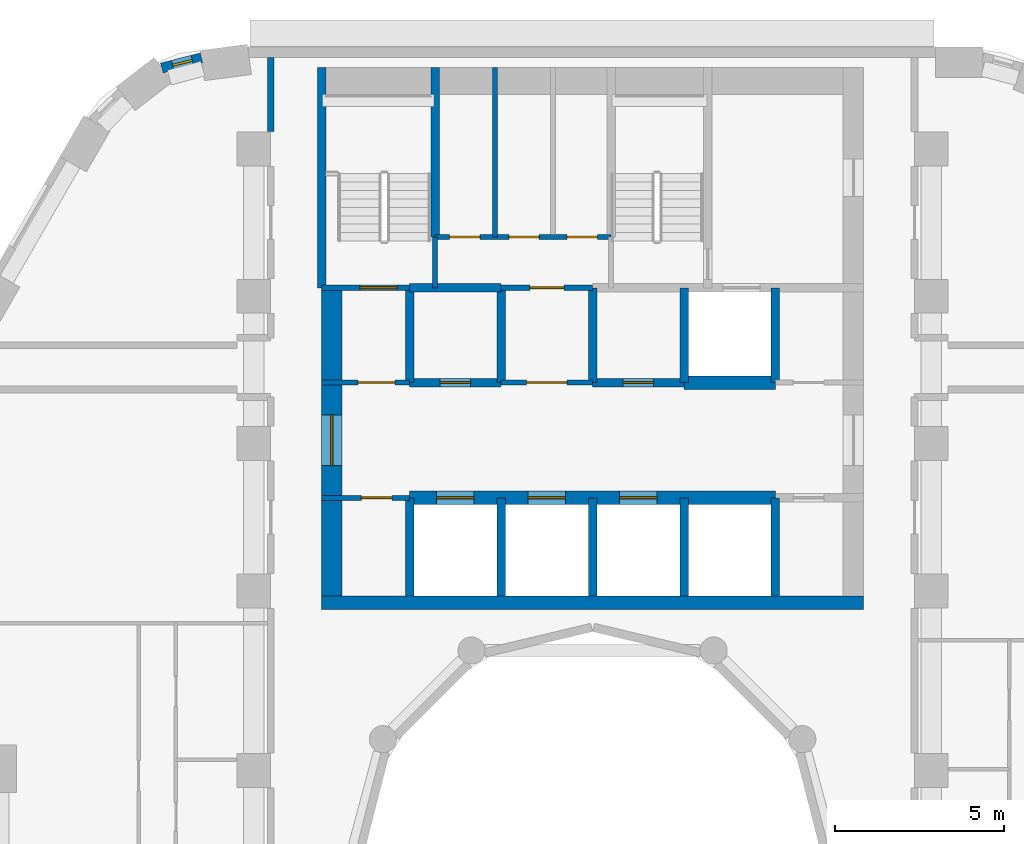
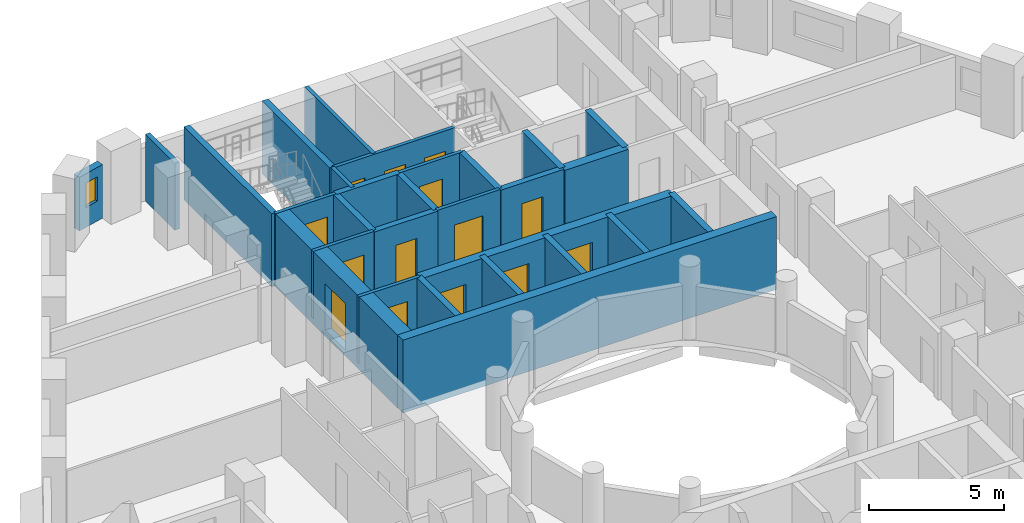
# One storey, part 7 of 12: 29 walls, 14 doors, 1 window, 15 openings.
"""IFC4 building model written with IfcOpenShell, lengths in metres."""

from ifc_helpers import new_model, si_unit, direction, frame, frame_2d, origin, place, context, subcontext, project, spatial, rectangle, extrude, material, layer, layer_set, type_object, element, fill, save


model = new_model("IFC4")

# Units and contexts
model_context = context("Model", 3, precision=1e-05, world=origin(), true_north=direction((0.0, 1.0)))
body_context = subcontext(model_context, "Body", "Model", "MODEL_VIEW")
ifc_project = project(units=[si_unit("LENGTHUNIT", "METRE"), si_unit("AREAUNIT", "SQUARE_METRE"), si_unit("VOLUMEUNIT", "CUBIC_METRE"), si_unit("PLANEANGLEUNIT", "RADIAN"), si_unit("MASSUNIT", "GRAM", prefix="KILO")], contexts=[model_context])

# Site, building, storey
site_placement = place(None, origin())
site = spatial("IfcSite", under=ifc_project, at=site_placement, CompositionType="ELEMENT")
building_placement = place(site_placement, origin())
building = spatial("IfcBuilding", under=site, at=building_placement, Name="Nakaniwa Court", CompositionType="ELEMENT")
storey_placement = place(building_placement, frame((0.0, 0.0, 100.800048828125)))
storey = spatial("IfcBuildingStorey", under=building, at=storey_placement, Name="L26", CompositionType="ELEMENT", Elevation=100.800048828125)

# Wall
ifc_material_1 = material(Name="Acoustic double stud partition")
ifc_layer_1 = layer(ifc_material_1, 0.199951171875)
ifc_layer_set_1 = layer_set([ifc_layer_1], Name="Acoustic double stud partition")
wall_type_1 = type_object("IfcWallType", Name="Acoustic double stud partition 200", PredefinedType="PARTITIONING", material=ifc_layer_set_1)
wall_1_placement = place(storey_placement, frame((70.5, 101.51708984375, 0.0), z_axis=(0.0, 0.0, 1.0), x_axis=(0.0, 1.0, 0.0)))
element("IfcWall", 1, at=wall_1_placement, inside=storey, type_object=wall_type_1, Name="Partition PW-108", PredefinedType="PARTITIONING", context=body_context, shape_type="SweptSolid", body=[
    extrude(rectangle(XDim=2.182861328125, YDim=0.199951171875, at=frame_2d((1.09130859375, 0.0))), origin(), (0.0, 0.0, 1.0), 3.02490234375),
])

# Wall, opening, window
ifc_material_2 = material(Name="Charcoal ceramic cladding")
ifc_layer_2 = layer(ifc_material_2, 0.02, Name="Ceramic cladding")
ifc_material_3 = material(Name="Ventilated air cavity")
ifc_layer_3 = layer(ifc_material_3, 0.04, ventilated=True, Name="Ventilated cavity")
ifc_material_4 = material(Name="Mineral wool insulation")
ifc_layer_4 = layer(ifc_material_4, 0.1, Name="Insulation")
ifc_material_5 = material(Name="Cement bonded sheathing board")
ifc_layer_5 = layer(ifc_material_5, 0.012, Name="Sheathing")
ifc_material_6 = material(Name="Cold-formed galvanised stud frame with mineral wool infill")
ifc_layer_6 = layer(ifc_material_6, 0.1, Name="Stud frame")
ifc_material_7 = material(Name="Fire-rated gypsum plasterboard lining")
ifc_layer_7 = layer(ifc_material_7, 0.028, Name="Lining")
ifc_layer_set_2 = layer_set([ifc_layer_2, ifc_layer_3, ifc_layer_4, ifc_layer_5, ifc_layer_6, ifc_layer_7], Name="Charcoal ceramic faced external wall system")
wall_type_2 = type_object("IfcWallType", Name="Black ceramic faced external wall 300", PredefinedType="SOLIDWALL", material=ifc_layer_set_2)
wall_2_placement = place(storey_placement, frame((68.455810546875, 103.68310546875, 0.0), z_axis=(0.0, 0.0, 1.0), x_axis=(-0.969485113966, -0.245150186208, 0.0)))
wall_2 = element("IfcWall", 2, at=wall_2_placement, inside=storey, type_object=wall_type_2, Name="L26 external wall 09", PredefinedType="SOLIDWALL", context=body_context, shape_type="SweptSolid", body=[
    extrude(rectangle(XDim=1.2080078125, YDim=0.300048828125, at=frame_2d((0.60400390625, 0.0))), origin(), (0.0, 0.0, 1.0), 2.425048828125),
])
opening_1_placement = place(wall_2_placement, frame((0.279541015625, 0.0, 0.89990234375)))
opening_1 = element("IfcOpeningElement", 3, at=opening_1_placement, cuts=wall_2, Name="Opening W8.10", PredefinedType="OPENING", context=body_context, shape_type="SweptSolid", body=[
    extrude(rectangle(XDim=0.60009765625, YDim=1.10009765625, at=frame_2d((0.300048828125, 0.550048828125))), frame((0.0, 0.159912109375, 0.0), z_axis=(0.0, -1.0, 0.0), x_axis=(1.0, 0.0, 0.0)), (0.0, 0.0, 1.0), 0.320068359375),
])
ifc_material_8 = material(Name="Black anodised aluminium frame with dark low-E laminated double glazing", Category="aluminium")
window_type = type_object("IfcWindowType", Name="Dark glass window 600x1100 sill 900", PartitioningType="SINGLE_PANEL", PredefinedType="WINDOW", material=ifc_material_8)
window_placement = place(opening_1_placement, origin())
window = element("IfcWindow", 4, at=window_placement, inside=storey, type_object=window_type, Name="L26 habitable room window 09-0", OverallHeight=1.10009765625, OverallWidth=0.60009765625, PartitioningType="SINGLE_PANEL", PredefinedType="WINDOW", context=body_context, shape_type="SweptSolid", body=[
    extrude(rectangle(XDim=0.60009765625, YDim=1.10009765625, at=frame_2d((0.300048828125, 0.550048828125))), frame((0.0, 0.030029296875, 0.0), z_axis=(0.0, -1.0, 0.0), x_axis=(1.0, 0.0, 0.0)), (0.0, 0.0, 1.0), 0.06005859375),
])
fill(opening_1, window)

# Wall, opening, door
ifc_material_9 = material(Name="Blockwork partition", Category="masonry")
ifc_layer_8 = layer(ifc_material_9, 0.14990234375)
ifc_layer_set_3 = layer_set([ifc_layer_8], Name="Blockwork partition")
wall_type_3 = type_object("IfcWallType", Name="Blockwork partition 150", PredefinedType="PARTITIONING", material=ifc_layer_set_3)
wall_3_placement = place(storey_placement, frame((74.60009765625, 90.699951171875, 0.0), z_axis=(0.0, 0.0, 1.0), x_axis=(-1.0, 0.0, 0.0)))
wall_3 = element("IfcWall", 5, at=wall_3_placement, inside=storey, type_object=wall_type_3, Name="Partition PW-003", PredefinedType="PARTITIONING", context=body_context, shape_type="SweptSolid", body=[
    extrude(rectangle(XDim=2.60009765625, YDim=0.14990234375, at=frame_2d((1.300048828125, 0.0))), origin(), (0.0, 0.0, 1.0), 3.02490234375),
])
opening_2_placement = place(wall_3_placement, frame((0.52490234375, 0.0, 0.0)))
opening_2 = element("IfcOpeningElement", 6, at=opening_2_placement, cuts=wall_3, Name="Opening D-05-01", PredefinedType="OPENING", context=body_context, shape_type="SweptSolid", body=[
    extrude(rectangle(XDim=0.89990234375, YDim=2.10009765625, at=frame_2d((0.449951171875, 1.050048828125))), frame((0.0, 0.0849609375, 0.0), z_axis=(0.0, -1.0, 0.0), x_axis=(1.0, 0.0, 0.0)), (0.0, 0.0, 1.0), 0.169921875),
])
ifc_material_10 = material(Name="Fire rated steel door set", Category="steel")
door_type_1 = type_object("IfcDoorType", Name="Service room door 900", OperationType="NOTDEFINED", PredefinedType="DOOR", material=ifc_material_10)
door_1_placement = place(opening_2_placement, origin())
door_1 = element("IfcDoor", 7, at=door_1_placement, inside=storey, type_object=door_type_1, Name="Door D-05-01 L26-001", OperationType="SINGLE_SWING_RIGHT", OverallHeight=2.10009765625, OverallWidth=0.89990234375, PredefinedType="DOOR", context=body_context, shape_type="SweptSolid", body=[
    extrude(rectangle(XDim=0.89990234375, YDim=2.10009765625, at=frame_2d((0.449951171875, 1.050048828125))), frame((0.0, 0.02490234375, 0.0), z_axis=(0.0, -1.0, 0.0), x_axis=(1.0, 0.0, 0.0)), (0.0, 0.0, 1.0), 0.050048828125),
])
fill(opening_2, door_1)

wall_4_placement = place(storey_placement, frame((72.0, 94.10009765625, 0.0), z_axis=(0.0, 0.0, 1.0), x_axis=(1.0, 0.0, 0.0)))
wall_4 = element("IfcWall", 8, at=wall_4_placement, inside=storey, type_object=wall_type_3, Name="Partition PW-016", PredefinedType="PARTITIONING", context=body_context, shape_type="SweptSolid", body=[
    extrude(rectangle(XDim=2.60302734375, YDim=0.14990234375, at=frame_2d((1.301513671875, 0.0))), origin(), (0.0, 0.0, 1.0), 3.02490234375),
])
opening_3_placement = place(wall_4_placement, frame((1.074951171875, 0.0, 0.0)))
opening_3 = element("IfcOpeningElement", 9, at=opening_3_placement, cuts=wall_4, Name="Opening D-08-01", PredefinedType="OPENING", context=body_context, shape_type="SweptSolid", body=[
    extrude(rectangle(XDim=1.10009765625, YDim=2.10009765625, at=frame_2d((0.550048828125, 1.050048828125))), frame((0.0, 0.0849609375, 0.0), z_axis=(0.0, -1.0, 0.0), x_axis=(1.0, 0.0, 0.0)), (0.0, 0.0, 1.0), 0.169921875),
])
door_type_2 = type_object("IfcDoorType", Name="Stair lobby door 1100", OperationType="NOTDEFINED", PredefinedType="DOOR", material=ifc_material_10)
door_2_placement = place(opening_3_placement, origin())
door_2 = element("IfcDoor", 10, at=door_2_placement, inside=storey, type_object=door_type_2, Name="Door D-08-01 L26-003", OperationType="SINGLE_SWING_RIGHT", OverallHeight=2.10009765625, OverallWidth=1.10009765625, PredefinedType="DOOR", context=body_context, shape_type="SweptSolid", body=[
    extrude(rectangle(XDim=1.10009765625, YDim=2.10009765625, at=frame_2d((0.550048828125, 1.050048828125))), frame((0.0, 0.02490234375, 0.0), z_axis=(0.0, -1.0, 0.0), x_axis=(1.0, 0.0, 0.0)), (0.0, 0.0, 1.0), 0.050048828125),
])
fill(opening_3, door_2)

wall_5_placement = place(storey_placement, frame((77.297119140625, 94.10009765625, 0.0), z_axis=(0.0, 0.0, 1.0), x_axis=(1.0, 0.0, 0.0)))
wall_5 = element("IfcWall", 11, at=wall_5_placement, inside=storey, type_object=wall_type_3, Name="Partition PW-017", PredefinedType="PARTITIONING", context=body_context, shape_type="SweptSolid", body=[
    extrude(rectangle(XDim=2.705810546875, YDim=0.14990234375, at=frame_2d((1.35302734375, 0.0))), origin(), (0.0, 0.0, 1.0), 3.02490234375),
])
opening_4_placement = place(wall_5_placement, frame((0.7529296875, 0.0, 0.0)))
opening_4 = element("IfcOpeningElement", 12, at=opening_4_placement, cuts=wall_5, Name="Opening D-06-01", PredefinedType="OPENING", context=body_context, shape_type="SweptSolid", body=[
    extrude(rectangle(XDim=1.199951171875, YDim=2.10009765625, at=frame_2d((0.60009765625, 1.050048828125))), frame((0.0, 0.0849609375, 0.0), z_axis=(0.0, -1.0, 0.0), x_axis=(1.0, 0.0, 0.0)), (0.0, 0.0, 1.0), 0.169921875),
])
ifc_material_11 = material(Name="Fire rated steel double door set", Category="steel")
door_type_3 = type_object("IfcDoorType", Name="Service passage double door 1200", OperationType="NOTDEFINED", PredefinedType="DOOR", material=ifc_material_11)
door_3_placement = place(opening_4_placement, origin())
door_3 = element("IfcDoor", 13, at=door_3_placement, inside=storey, type_object=door_type_3, Name="Door D-06-01 L26-005", OperationType="DOUBLE_DOOR_SINGLE_SWING", OverallHeight=2.10009765625, OverallWidth=1.199951171875, PredefinedType="DOOR", context=body_context, shape_type="SweptSolid", body=[
    extrude(rectangle(XDim=1.199951171875, YDim=2.10009765625, at=frame_2d((0.60009765625, 1.050048828125))), frame((0.0, 0.02490234375, 0.0), z_axis=(0.0, -1.0, 0.0), x_axis=(1.0, 0.0, 0.0)), (0.0, 0.0, 1.0), 0.050048828125),
])
fill(opening_4, door_3)

wall_6_placement = place(storey_placement, frame((77.300048828125, 96.89990234375, 0.0), z_axis=(0.0, 0.0, 1.0), x_axis=(1.0, 0.0, 0.0)))
wall_6 = element("IfcWall", 14, at=wall_6_placement, inside=storey, type_object=wall_type_3, Name="Partition PW-025", PredefinedType="PARTITIONING", context=body_context, shape_type="SweptSolid", body=[
    extrude(rectangle(XDim=2.699951171875, YDim=0.14990234375, at=frame_2d((1.35009765625, 0.0))), origin(), (0.0, 0.0, 1.0), 3.02490234375),
])
opening_5_placement = place(wall_6_placement, frame((0.85009765625, 0.0, 0.0)))
opening_5 = element("IfcOpeningElement", 15, at=opening_5_placement, cuts=wall_6, Name="Opening D-23-01", PredefinedType="OPENING", context=body_context, shape_type="SweptSolid", body=[
    extrude(rectangle(XDim=1.0, YDim=2.10009765625, at=frame_2d((0.5, 1.050048828125))), frame((0.0, 0.0849609375, 0.0), z_axis=(0.0, -1.0, 0.0), x_axis=(1.0, 0.0, 0.0)), (0.0, 0.0, 1.0), 0.169921875),
])
door_type_4 = type_object("IfcDoorType", Name="Service room door 1000", OperationType="NOTDEFINED", PredefinedType="DOOR", material=ifc_material_10)
door_4_placement = place(opening_5_placement, origin())
door_4 = element("IfcDoor", 16, at=door_4_placement, inside=storey, type_object=door_type_4, Name="Door D-23-01 L26-008", OperationType="SINGLE_SWING_LEFT", OverallHeight=2.10009765625, OverallWidth=1.0, PredefinedType="DOOR", context=body_context, shape_type="SweptSolid", body=[
    extrude(rectangle(XDim=1.0, YDim=2.10009765625, at=frame_2d((0.5, 1.050048828125))), frame((0.0, 0.02490234375, 0.0), z_axis=(0.0, -1.0, 0.0), x_axis=(1.0, 0.0, 0.0)), (0.0, 0.0, 1.0), 0.050048828125),
])
fill(opening_5, door_4)

# Wall, openings, doors
wall_7_placement = place(storey_placement, frame((75.35009765625, 98.39990234375, 0.0), z_axis=(0.0, 0.0, 1.0), x_axis=(1.0, 0.0, 0.0)))
wall_7 = element("IfcWall", 17, at=wall_7_placement, inside=storey, type_object=wall_type_3, Name="Partition PW-032", PredefinedType="PARTITIONING", context=body_context, shape_type="SweptSolid", body=[
    extrude(rectangle(XDim=5.199951171875, YDim=0.14990234375, at=frame_2d((2.60009765625, 0.0))), origin(), (0.0, 0.0, 1.0), 3.02490234375),
])
opening_6_placement = place(wall_7_placement, frame((0.43408203125, 0.0, 0.0)))
opening_6 = element("IfcOpeningElement", 18, at=opening_6_placement, cuts=wall_7, Name="Opening D-05-06", PredefinedType="OPENING", context=body_context, shape_type="SweptSolid", body=[
    extrude(rectangle(XDim=0.89990234375, YDim=2.10009765625, at=frame_2d((0.449951171875, 1.050048828125))), frame((0.0, 0.0849609375, 0.0), z_axis=(0.0, -1.0, 0.0), x_axis=(1.0, 0.0, 0.0)), (0.0, 0.0, 1.0), 0.169921875),
])
opening_7_placement = place(wall_7_placement, frame((2.176025390625, 0.0, 0.0)))
opening_7 = element("IfcOpeningElement", 19, at=opening_7_placement, cuts=wall_7, Name="Opening D-05-07", PredefinedType="OPENING", context=body_context, shape_type="SweptSolid", body=[
    extrude(rectangle(XDim=0.89990234375, YDim=2.10009765625, at=frame_2d((0.449951171875, 1.050048828125))), frame((0.0, 0.0849609375, 0.0), z_axis=(0.0, -1.0, 0.0), x_axis=(1.0, 0.0, 0.0)), (0.0, 0.0, 1.0), 0.169921875),
])
opening_8_placement = place(wall_7_placement, frame((3.89208984375, 0.0, 0.0)))
opening_8 = element("IfcOpeningElement", 20, at=opening_8_placement, cuts=wall_7, Name="Opening D-05-08", PredefinedType="OPENING", context=body_context, shape_type="SweptSolid", body=[
    extrude(rectangle(XDim=0.89990234375, YDim=2.10009765625, at=frame_2d((0.449951171875, 1.050048828125))), frame((0.0, 0.0849609375, 0.0), z_axis=(0.0, -1.0, 0.0), x_axis=(1.0, 0.0, 0.0)), (0.0, 0.0, 1.0), 0.169921875),
])
door_5_placement = place(opening_6_placement, origin())
door_5 = element("IfcDoor", 21, at=door_5_placement, inside=storey, type_object=door_type_1, Name="Door D-05-06 L26-009", OperationType="SINGLE_SWING_RIGHT", OverallHeight=2.10009765625, OverallWidth=0.89990234375, PredefinedType="DOOR", context=body_context, shape_type="SweptSolid", body=[
    extrude(rectangle(XDim=0.89990234375, YDim=2.10009765625, at=frame_2d((0.449951171875, 1.050048828125))), frame((0.0, 0.02490234375, 0.0), z_axis=(0.0, -1.0, 0.0), x_axis=(1.0, 0.0, 0.0)), (0.0, 0.0, 1.0), 0.050048828125),
])
fill(opening_6, door_5)
door_6_placement = place(opening_7_placement, origin())
door_6 = element("IfcDoor", 22, at=door_6_placement, inside=storey, type_object=door_type_1, Name="Door D-05-07 L26-010", OperationType="SINGLE_SWING_LEFT", OverallHeight=2.10009765625, OverallWidth=0.89990234375, PredefinedType="DOOR", context=body_context, shape_type="SweptSolid", body=[
    extrude(rectangle(XDim=0.89990234375, YDim=2.10009765625, at=frame_2d((0.449951171875, 1.050048828125))), frame((0.0, 0.02490234375, 0.0), z_axis=(0.0, -1.0, 0.0), x_axis=(1.0, 0.0, 0.0)), (0.0, 0.0, 1.0), 0.050048828125),
])
fill(opening_7, door_6)
door_7_placement = place(opening_8_placement, origin())
door_7 = element("IfcDoor", 23, at=door_7_placement, inside=storey, type_object=door_type_1, Name="Door D-05-08 L26-011", OperationType="SINGLE_SWING_RIGHT", OverallHeight=2.10009765625, OverallWidth=0.89990234375, PredefinedType="DOOR", context=body_context, shape_type="SweptSolid", body=[
    extrude(rectangle(XDim=0.89990234375, YDim=2.10009765625, at=frame_2d((0.449951171875, 1.050048828125))), frame((0.0, 0.02490234375, 0.0), z_axis=(0.0, -1.0, 0.0), x_axis=(1.0, 0.0, 0.0)), (0.0, 0.0, 1.0), 0.050048828125),
])
fill(opening_8, door_7)

# Wall
wall_8_placement = place(storey_placement, frame((77.117919921875, 98.39990234375, 0.0), z_axis=(0.0, 0.0, 1.0), x_axis=(0.0, 1.0, 0.0)))
element("IfcWall", 24, at=wall_8_placement, inside=storey, type_object=wall_type_3, Name="Partition PW-033", PredefinedType="PARTITIONING", context=body_context, shape_type="SweptSolid", body=[
    extrude(rectangle(XDim=5.0, YDim=0.14990234375, at=frame_2d((2.5, 0.0))), origin(), (0.0, 0.0, 1.0), 3.02490234375),
])

# Wall, opening, door
ifc_material_12 = material(Name="Concrete C80/100", Category="concrete")
ifc_layer_9 = layer(ifc_material_12, 0.60009765625)
ifc_layer_set_4 = layer_set([ifc_layer_9], Name="Concrete C80/100")
wall_type_4 = type_object("IfcWallType", Name="Concrete core side wall 600 C80", PredefinedType="SHEAR", material=ifc_layer_set_4)
wall_9_placement = place(storey_placement, frame((72.300048828125, 87.800048828125, -0.275146484375), z_axis=(0.0, 0.0, 1.0), x_axis=(0.0, 1.0, 0.0)))
wall_9 = element("IfcWall", 25, at=wall_9_placement, inside=storey, type_object=wall_type_4, Name="Core wall SW-04", PredefinedType="SHEAR", context=body_context, shape_type="SweptSolid", body=[
    extrude(rectangle(XDim=9.099853515625, YDim=0.60009765625, at=frame_2d((4.5498046875, 0.0))), origin(), (0.0, 0.0, 1.0), 3.300048828125),
])
opening_9_placement = place(wall_9_placement, frame((3.85009765625, 0.0, 0.27490234375)))
opening_9 = element("IfcOpeningElement", 26, at=opening_9_placement, cuts=wall_9, Name="Opening D-07-02", PredefinedType="OPENING", context=body_context, shape_type="SweptSolid", body=[
    extrude(rectangle(XDim=1.5, YDim=2.10009765625, at=frame_2d((0.75, 1.050048828125))), frame((0.0, 0.31005859375, 0.0), z_axis=(0.0, -1.0, 0.0), x_axis=(1.0, 0.0, 0.0)), (0.0, 0.0, 1.0), 0.6201171875),
])
ifc_material_13 = material(Name="Glazed fire rated steel double door set", Category="steel")
door_type_5 = type_object("IfcDoorType", Name="Lobby double door 1500", OperationType="NOTDEFINED", PredefinedType="DOOR", material=ifc_material_13)
door_8_placement = place(opening_9_placement, origin())
door_8 = element("IfcDoor", 27, at=door_8_placement, inside=storey, type_object=door_type_5, Name="Door D-07-02 L26-052", OperationType="DOUBLE_DOOR_SINGLE_SWING", OverallHeight=2.10009765625, OverallWidth=1.5, PredefinedType="DOOR", context=body_context, shape_type="SweptSolid", body=[
    extrude(rectangle(XDim=1.5, YDim=2.10009765625, at=frame_2d((0.75, 1.050048828125))), frame((0.0, 0.02490234375, 0.0), z_axis=(0.0, -1.0, 0.0), x_axis=(1.0, 0.0, 0.0)), (0.0, 0.0, 1.0), 0.050048828125),
])
fill(opening_9, door_8)

# Wall, openings, doors
ifc_layer_10 = layer(ifc_material_12, 0.39990234375)
ifc_layer_set_5 = layer_set([ifc_layer_10], Name="Concrete C80/100")
wall_type_5 = type_object("IfcWallType", Name="Concrete core spine wall 400 C80", PredefinedType="SHEAR", material=ifc_layer_set_5)
wall_10_placement = place(storey_placement, frame((74.60009765625, 90.699951171875, -0.275146484375), z_axis=(0.0, 0.0, 1.0), x_axis=(1.0, 0.0, 0.0)))
wall_10 = element("IfcWall", 28, at=wall_10_placement, inside=storey, type_object=wall_type_5, Name="Core wall SW-07", PredefinedType="SHEAR", context=body_context, shape_type="SweptSolid", body=[
    extrude(rectangle(XDim=10.7998046875, YDim=0.39990234375, at=frame_2d((5.39990234375, 0.0))), origin(), (0.0, 0.0, 1.0), 3.300048828125),
])
opening_10_placement = place(wall_10_placement, frame((0.800048828125, 0.0, 0.27490234375)))
opening_10 = element("IfcOpeningElement", 29, at=opening_10_placement, cuts=wall_10, Name="Opening LD01", PredefinedType="OPENING", context=body_context, shape_type="SweptSolid", body=[
    extrude(rectangle(XDim=1.10009765625, YDim=2.10009765625, at=frame_2d((0.550048828125, 1.050048828125))), frame((0.0, 0.2099609375, 0.0), z_axis=(0.0, -1.0, 0.0), x_axis=(1.0, 0.0, 0.0)), (0.0, 0.0, 1.0), 0.419921875),
])
opening_11_placement = place(wall_10_placement, frame((3.5, 0.0, 0.27490234375)))
opening_11 = element("IfcOpeningElement", 30, at=opening_11_placement, cuts=wall_10, Name="Opening LD02", PredefinedType="OPENING", context=body_context, shape_type="SweptSolid", body=[
    extrude(rectangle(XDim=1.10009765625, YDim=2.10009765625, at=frame_2d((0.550048828125, 1.050048828125))), frame((0.0, 0.2099609375, 0.0), z_axis=(0.0, -1.0, 0.0), x_axis=(1.0, 0.0, 0.0)), (0.0, 0.0, 1.0), 0.419921875),
])
opening_12_placement = place(wall_10_placement, frame((6.199951171875, 0.0, 0.27490234375)))
opening_12 = element("IfcOpeningElement", 31, at=opening_12_placement, cuts=wall_10, Name="Opening LD03", PredefinedType="OPENING", context=body_context, shape_type="SweptSolid", body=[
    extrude(rectangle(XDim=1.10009765625, YDim=2.10009765625, at=frame_2d((0.550048828125, 1.050048828125))), frame((0.0, 0.2099609375, 0.0), z_axis=(0.0, -1.0, 0.0), x_axis=(1.0, 0.0, 0.0)), (0.0, 0.0, 1.0), 0.419921875),
])
ifc_material_14 = material(Name="Stainless steel sliding lift landing door", Category="steel")
door_type_6 = type_object("IfcDoorType", Name="Lift landing door 1100", OperationType="NOTDEFINED", PredefinedType="DOOR", material=ifc_material_14)
door_9_placement = place(opening_10_placement, origin())
door_9 = element("IfcDoor", 32, at=door_9_placement, inside=storey, type_object=door_type_6, Name="Lift landing door LD01 L26-001", OperationType="SLIDING_TO_LEFT", OverallHeight=2.10009765625, OverallWidth=1.10009765625, PredefinedType="DOOR", context=body_context, shape_type="SweptSolid", body=[
    extrude(rectangle(XDim=1.10009765625, YDim=2.10009765625, at=frame_2d((0.550048828125, 1.050048828125))), frame((0.0, 0.02490234375, 0.0), z_axis=(0.0, -1.0, 0.0), x_axis=(1.0, 0.0, 0.0)), (0.0, 0.0, 1.0), 0.050048828125),
])
fill(opening_10, door_9)
door_10_placement = place(opening_11_placement, origin())
door_10 = element("IfcDoor", 33, at=door_10_placement, inside=storey, type_object=door_type_6, Name="Lift landing door LD02 L26-002", OperationType="SLIDING_TO_LEFT", OverallHeight=2.10009765625, OverallWidth=1.10009765625, PredefinedType="DOOR", context=body_context, shape_type="SweptSolid", body=[
    extrude(rectangle(XDim=1.10009765625, YDim=2.10009765625, at=frame_2d((0.550048828125, 1.050048828125))), frame((0.0, 0.02490234375, 0.0), z_axis=(0.0, -1.0, 0.0), x_axis=(1.0, 0.0, 0.0)), (0.0, 0.0, 1.0), 0.050048828125),
])
fill(opening_11, door_10)
door_11_placement = place(opening_12_placement, origin())
door_11 = element("IfcDoor", 34, at=door_11_placement, inside=storey, type_object=door_type_6, Name="Lift landing door LD03 L26-003", OperationType="SLIDING_TO_LEFT", OverallHeight=2.10009765625, OverallWidth=1.10009765625, PredefinedType="DOOR", context=body_context, shape_type="SweptSolid", body=[
    extrude(rectangle(XDim=1.10009765625, YDim=2.10009765625, at=frame_2d((0.550048828125, 1.050048828125))), frame((0.0, 0.02490234375, 0.0), z_axis=(0.0, -1.0, 0.0), x_axis=(1.0, 0.0, 0.0)), (0.0, 0.0, 1.0), 0.050048828125),
])
fill(opening_12, door_11)

# Wall
wall_11_placement = place(storey_placement, frame((82.697021484375, 94.10009765625, -0.275146484375), z_axis=(0.0, 0.0, 1.0), x_axis=(1.0, 0.0, 0.0)))
element("IfcWall", 35, at=wall_11_placement, inside=storey, type_object=wall_type_5, Name="Core wall SW-21", PredefinedType="SHEAR", context=body_context, shape_type="SweptSolid", body=[
    extrude(rectangle(XDim=2.7060546875, YDim=0.39990234375, at=frame_2d((1.35302734375, 0.0))), origin(), (0.0, 0.0, 1.0), 3.300048828125),
])

# Wall, opening, door
ifc_layer_11 = layer(ifc_material_12, 0.14990234375)
ifc_layer_set_6 = layer_set([ifc_layer_11], Name="Concrete C80/100")
wall_type_6 = type_object("IfcWallType", Name="Concrete core wall 150 C80", PredefinedType="SHEAR", material=ifc_layer_set_6)
wall_12_placement = place(storey_placement, frame((74.60009765625, 96.89990234375, -0.275146484375), z_axis=(0.0, 0.0, 1.0), x_axis=(-1.0, 0.0, 0.0)))
wall_12 = element("IfcWall", 36, at=wall_12_placement, inside=storey, type_object=wall_type_6, Name="Core wall SW-22", PredefinedType="SHEAR", context=body_context, shape_type="SweptSolid", body=[
    extrude(rectangle(XDim=2.60009765625, YDim=0.14990234375, at=frame_2d((1.300048828125, 0.0))), origin(), (0.0, 0.0, 1.0), 3.300048828125),
])
opening_13_placement = place(wall_12_placement, frame((0.3701171875, 0.0, 0.27490234375)))
opening_13 = element("IfcOpeningElement", 37, at=opening_13_placement, cuts=wall_12, Name="Opening D-09-01", PredefinedType="OPENING", context=body_context, shape_type="SweptSolid", body=[
    extrude(rectangle(XDim=1.10009765625, YDim=2.10009765625, at=frame_2d((0.550048828125, 1.050048828125))), frame((0.0, 0.0849609375, 0.0), z_axis=(0.0, -1.0, 0.0), x_axis=(1.0, 0.0, 0.0)), (0.0, 0.0, 1.0), 0.169921875),
])
door_type_7 = type_object("IfcDoorType", Name="Stair door 1100", OperationType="NOTDEFINED", PredefinedType="DOOR", material=ifc_material_10)
door_12_placement = place(opening_13_placement, origin())
door_12 = element("IfcDoor", 38, at=door_12_placement, inside=storey, type_object=door_type_7, Name="Door D-09-01 L26-012", OperationType="SINGLE_SWING_RIGHT", OverallHeight=2.10009765625, OverallWidth=1.10009765625, PredefinedType="DOOR", context=body_context, shape_type="SweptSolid", body=[
    extrude(rectangle(XDim=1.10009765625, YDim=2.10009765625, at=frame_2d((0.550048828125, 1.050048828125))), frame((0.0, 0.02490234375, 0.0), z_axis=(0.0, -1.0, 0.0), x_axis=(1.0, 0.0, 0.0)), (0.0, 0.0, 1.0), 0.050048828125),
])
fill(opening_13, door_12)

# Walls
wall_13_placement = place(storey_placement, frame((75.35009765625, 96.89990234375, -0.275146484375), z_axis=(0.0, 0.0, 1.0), x_axis=(0.0, 1.0, 0.0)))
element("IfcWall", 39, at=wall_13_placement, inside=storey, type_object=wall_type_6, Name="Core wall SW-26", PredefinedType="SHEAR", context=body_context, shape_type="SweptSolid", body=[
    extrude(rectangle(XDim=1.503173828125, YDim=0.14990234375, at=frame_2d((0.75146484375, 0.0))), origin(), (0.0, 0.0, 1.0), 3.300048828125),
])
ifc_layer_12 = layer(ifc_material_12, 0.25)
ifc_layer_set_7 = layer_set([ifc_layer_12], Name="Concrete C80/100")
wall_type_7 = type_object("IfcWallType", Name="Concrete core wall 250 C80", PredefinedType="SHEAR", material=ifc_layer_set_7)
wall_14_placement = place(storey_placement, frame((72.0, 96.89990234375, -0.275146484375), z_axis=(0.0, 0.0, 1.0), x_axis=(0.0, 1.0, 0.0)))
element("IfcWall", 40, at=wall_14_placement, inside=storey, type_object=wall_type_7, Name="Core wall SW-28", PredefinedType="SHEAR", context=body_context, shape_type="SweptSolid", body=[
    extrude(rectangle(XDim=6.5, YDim=0.25, at=frame_2d((3.25, 0.0))), origin(), (0.0, 0.0, 1.0), 3.300048828125),
])
ifc_layer_13 = layer(ifc_material_12, 0.39990234375)
ifc_layer_set_8 = layer_set([ifc_layer_13], Name="Concrete C80/100")
wall_type_8 = type_object("IfcWallType", Name="Concrete core well wall 400 C80", PredefinedType="SHEAR", material=ifc_layer_set_8)
wall_15_placement = place(storey_placement, frame((72.00390625, 87.60009765625, -0.275146484375), z_axis=(0.0, 0.0, 1.0), x_axis=(1.0, 0.0, 0.0)))
element("IfcWall", 41, at=wall_15_placement, inside=storey, type_object=wall_type_8, Name="Core wall SW-129", PredefinedType="SHEAR", context=body_context, shape_type="SweptSolid", body=[
    extrude(rectangle(XDim=15.9921875, YDim=0.39990234375, at=frame_2d((7.99609375, 0.0))), origin(), (0.0, 0.0, 1.0), 3.300048828125),
])
ifc_layer_14 = layer(ifc_material_12, 0.25)
ifc_layer_set_9 = layer_set([ifc_layer_14], Name="Concrete C80/100")
wall_type_9 = type_object("IfcWallType", Name="Concrete shaft wall 250 C80", PredefinedType="SHEAR", material=ifc_layer_set_9)
wall_16_placement = place(storey_placement, frame((74.60009765625, 87.800048828125, -0.275146484375), z_axis=(0.0, 0.0, 1.0), x_axis=(0.0, 1.0, 0.0)))
element("IfcWall", 42, at=wall_16_placement, inside=storey, type_object=wall_type_9, Name="Core wall SW-01", PredefinedType="SHEAR", context=body_context, shape_type="SweptSolid", body=[
    extrude(rectangle(XDim=2.89990234375, YDim=0.25, at=frame_2d((1.449951171875, 0.0))), origin(), (0.0, 0.0, 1.0), 3.300048828125),
])
wall_17_placement = place(storey_placement, frame((74.60009765625, 94.10009765625, -0.275146484375), z_axis=(0.0, 0.0, 1.0), x_axis=(0.0, 1.0, 0.0)))
element("IfcWall", 43, at=wall_17_placement, inside=storey, type_object=wall_type_9, Name="Core wall SW-02", PredefinedType="SHEAR", context=body_context, shape_type="SweptSolid", body=[
    extrude(rectangle(XDim=2.7998046875, YDim=0.25, at=frame_2d((1.39990234375, 0.0))), origin(), (0.0, 0.0, 1.0), 3.300048828125),
])
wall_18_placement = place(storey_placement, frame((77.300048828125, 87.800048828125, -0.275146484375), z_axis=(0.0, 0.0, 1.0), x_axis=(0.0, 1.0, 0.0)))
element("IfcWall", 44, at=wall_18_placement, inside=storey, type_object=wall_type_9, Name="Core wall SW-05", PredefinedType="SHEAR", context=body_context, shape_type="SweptSolid", body=[
    extrude(rectangle(XDim=2.89990234375, YDim=0.25, at=frame_2d((1.449951171875, 0.0))), origin(), (0.0, 0.0, 1.0), 3.300048828125),
])
wall_19_placement = place(storey_placement, frame((77.300048828125, 94.10009765625, -0.275146484375), z_axis=(0.0, 0.0, 1.0), x_axis=(0.0, 1.0, 0.0)))
element("IfcWall", 45, at=wall_19_placement, inside=storey, type_object=wall_type_9, Name="Core wall SW-06", PredefinedType="SHEAR", context=body_context, shape_type="SweptSolid", body=[
    extrude(rectangle(XDim=2.7998046875, YDim=0.25, at=frame_2d((1.39990234375, 0.0))), origin(), (0.0, 0.0, 1.0), 3.300048828125),
])
wall_20_placement = place(storey_placement, frame((80.0, 87.800048828125, -0.275146484375), z_axis=(0.0, 0.0, 1.0), x_axis=(0.0, 1.0, 0.0)))
element("IfcWall", 46, at=wall_20_placement, inside=storey, type_object=wall_type_9, Name="Core wall SW-08", PredefinedType="SHEAR", context=body_context, shape_type="SweptSolid", body=[
    extrude(rectangle(XDim=2.89990234375, YDim=0.25, at=frame_2d((1.449951171875, 0.0))), origin(), (0.0, 0.0, 1.0), 3.300048828125),
])
wall_21_placement = place(storey_placement, frame((80.0, 94.10009765625, -0.275146484375), z_axis=(0.0, 0.0, 1.0), x_axis=(0.0, 1.0, 0.0)))
element("IfcWall", 47, at=wall_21_placement, inside=storey, type_object=wall_type_9, Name="Core wall SW-09", PredefinedType="SHEAR", context=body_context, shape_type="SweptSolid", body=[
    extrude(rectangle(XDim=2.7998046875, YDim=0.25, at=frame_2d((1.39990234375, 0.0))), origin(), (0.0, 0.0, 1.0), 3.300048828125),
])
wall_22_placement = place(storey_placement, frame((82.699951171875, 87.800048828125, -0.275146484375), z_axis=(0.0, 0.0, 1.0), x_axis=(0.0, 1.0, 0.0)))
element("IfcWall", 48, at=wall_22_placement, inside=storey, type_object=wall_type_9, Name="Core wall SW-10", PredefinedType="SHEAR", context=body_context, shape_type="SweptSolid", body=[
    extrude(rectangle(XDim=2.89990234375, YDim=0.25, at=frame_2d((1.449951171875, 0.0))), origin(), (0.0, 0.0, 1.0), 3.300048828125),
])
wall_23_placement = place(storey_placement, frame((82.699951171875, 94.10009765625, -0.275146484375), z_axis=(0.0, 0.0, 1.0), x_axis=(0.0, 1.0, 0.0)))
element("IfcWall", 49, at=wall_23_placement, inside=storey, type_object=wall_type_9, Name="Core wall SW-11", PredefinedType="SHEAR", context=body_context, shape_type="SweptSolid", body=[
    extrude(rectangle(XDim=2.7998046875, YDim=0.25, at=frame_2d((1.39990234375, 0.0))), origin(), (0.0, 0.0, 1.0), 3.300048828125),
])
wall_24_placement = place(storey_placement, frame((85.39990234375, 87.800048828125, -0.275146484375), z_axis=(0.0, 0.0, 1.0), x_axis=(0.0, 1.0, 0.0)))
element("IfcWall", 50, at=wall_24_placement, inside=storey, type_object=wall_type_9, Name="Core wall SW-12", PredefinedType="SHEAR", context=body_context, shape_type="SweptSolid", body=[
    extrude(rectangle(XDim=2.89990234375, YDim=0.25, at=frame_2d((1.449951171875, 0.0))), origin(), (0.0, 0.0, 1.0), 3.300048828125),
])
wall_25_placement = place(storey_placement, frame((85.39990234375, 94.10009765625, -0.275146484375), z_axis=(0.0, 0.0, 1.0), x_axis=(0.0, 1.0, 0.0)))
element("IfcWall", 51, at=wall_25_placement, inside=storey, type_object=wall_type_9, Name="Core wall SW-13", PredefinedType="SHEAR", context=body_context, shape_type="SweptSolid", body=[
    extrude(rectangle(XDim=2.7998046875, YDim=0.25, at=frame_2d((1.39990234375, 0.0))), origin(), (0.0, 0.0, 1.0), 3.300048828125),
])

# Wall, opening, door
wall_26_placement = place(storey_placement, frame((74.596923828125, 94.10009765625, -0.275146484375), z_axis=(0.0, 0.0, 1.0), x_axis=(1.0, 0.0, 0.0)))
wall_26 = element("IfcWall", 52, at=wall_26_placement, inside=storey, type_object=wall_type_9, Name="Core wall SW-19", PredefinedType="SHEAR", context=body_context, shape_type="SweptSolid", body=[
    extrude(rectangle(XDim=2.7060546875, YDim=0.25, at=frame_2d((1.35302734375, 0.0))), origin(), (0.0, 0.0, 1.0), 3.300048828125),
])
opening_14_placement = place(wall_26_placement, frame((0.903076171875, 0.0, 0.27490234375)))
opening_14 = element("IfcOpeningElement", 53, at=opening_14_placement, cuts=wall_26, Name="Opening D-05-03", PredefinedType="OPENING", context=body_context, shape_type="SweptSolid", body=[
    extrude(rectangle(XDim=0.89990234375, YDim=2.10009765625, at=frame_2d((0.449951171875, 1.050048828125))), frame((0.0, 0.135009765625, 0.0), z_axis=(0.0, -1.0, 0.0), x_axis=(1.0, 0.0, 0.0)), (0.0, 0.0, 1.0), 0.27001953125),
])
door_13_placement = place(opening_14_placement, origin())
door_13 = element("IfcDoor", 54, at=door_13_placement, inside=storey, type_object=door_type_1, Name="Door D-05-03 L26-004", OperationType="SINGLE_SWING_LEFT", OverallHeight=2.10009765625, OverallWidth=0.89990234375, PredefinedType="DOOR", context=body_context, shape_type="SweptSolid", body=[
    extrude(rectangle(XDim=0.89990234375, YDim=2.10009765625, at=frame_2d((0.449951171875, 1.050048828125))), frame((0.0, 0.02490234375, 0.0), z_axis=(0.0, -1.0, 0.0), x_axis=(1.0, 0.0, 0.0)), (0.0, 0.0, 1.0), 0.050048828125),
])
fill(opening_14, door_13)

wall_27_placement = place(storey_placement, frame((79.9970703125, 94.10009765625, -0.275146484375), z_axis=(0.0, 0.0, 1.0), x_axis=(1.0, 0.0, 0.0)))
wall_27 = element("IfcWall", 55, at=wall_27_placement, inside=storey, type_object=wall_type_9, Name="Core wall SW-20", PredefinedType="SHEAR", context=body_context, shape_type="SweptSolid", body=[
    extrude(rectangle(XDim=2.705810546875, YDim=0.25, at=frame_2d((1.35302734375, 0.0))), origin(), (0.0, 0.0, 1.0), 3.300048828125),
])
opening_15_placement = place(wall_27_placement, frame((0.903076171875, 0.0, 0.27490234375)))
opening_15 = element("IfcOpeningElement", 56, at=opening_15_placement, cuts=wall_27, Name="Opening D-05-04", PredefinedType="OPENING", context=body_context, shape_type="SweptSolid", body=[
    extrude(rectangle(XDim=0.89990234375, YDim=2.10009765625, at=frame_2d((0.449951171875, 1.050048828125))), frame((0.0, 0.135009765625, 0.0), z_axis=(0.0, -1.0, 0.0), x_axis=(1.0, 0.0, 0.0)), (0.0, 0.0, 1.0), 0.27001953125),
])
door_14_placement = place(opening_15_placement, origin())
door_14 = element("IfcDoor", 57, at=door_14_placement, inside=storey, type_object=door_type_1, Name="Door D-05-04 L26-006", OperationType="SINGLE_SWING_LEFT", OverallHeight=2.10009765625, OverallWidth=0.89990234375, PredefinedType="DOOR", context=body_context, shape_type="SweptSolid", body=[
    extrude(rectangle(XDim=0.89990234375, YDim=2.10009765625, at=frame_2d((0.449951171875, 1.050048828125))), frame((0.0, 0.02490234375, 0.0), z_axis=(0.0, -1.0, 0.0), x_axis=(1.0, 0.0, 0.0)), (0.0, 0.0, 1.0), 0.050048828125),
])
fill(opening_15, door_14)

# Walls
wall_28_placement = place(storey_placement, frame((74.60009765625, 96.89990234375, -0.275146484375), z_axis=(0.0, 0.0, 1.0), x_axis=(1.0, 0.0, 0.0)))
element("IfcWall", 58, at=wall_28_placement, inside=storey, type_object=wall_type_9, Name="Core wall SW-23", PredefinedType="SHEAR", context=body_context, shape_type="SweptSolid", body=[
    extrude(rectangle(XDim=2.699951171875, YDim=0.25, at=frame_2d((1.35009765625, 0.0))), origin(), (0.0, 0.0, 1.0), 3.300048828125),
])
wall_29_placement = place(storey_placement, frame((75.35009765625, 98.39697265625, -0.275146484375), z_axis=(0.0, 0.0, 1.0), x_axis=(0.0, 1.0, 0.0)))
element("IfcWall", 59, at=wall_29_placement, inside=storey, type_object=wall_type_9, Name="Core wall SW-27", PredefinedType="SHEAR", context=body_context, shape_type="SweptSolid", body=[
    extrude(rectangle(XDim=5.0029296875, YDim=0.25, at=frame_2d((2.50146484375, 0.0))), origin(), (0.0, 0.0, 1.0), 3.300048828125),
])

save(model, "model.ifc")
